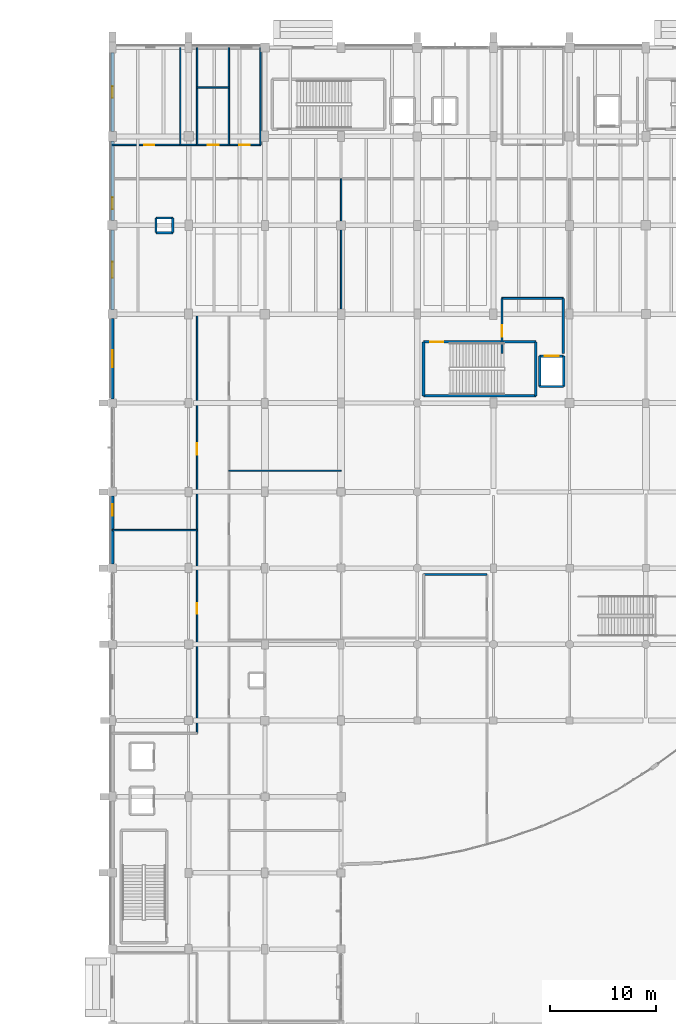
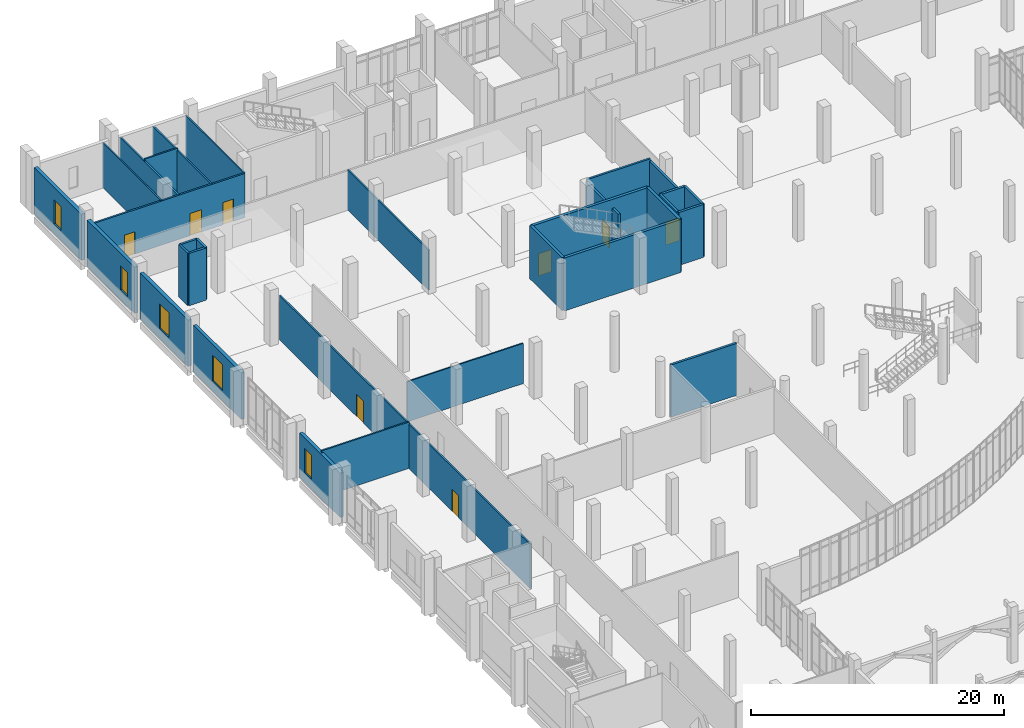
# One storey, part 92 of 110: 31 walls, 8 doors, 5 windows, 13 openings.
"""IFC4 building model written with IfcOpenShell, lengths in metres."""

from ifc_helpers import new_model, si_unit, direction, frame, frame_2d, origin, place, context, subcontext, project, spatial, rectangle, extrude, material, layer, layer_set, type_object, element, fill, save


model = new_model("IFC4")

# Units and contexts
model_context = context("Model", 3, precision=1e-05, world=origin(), true_north=direction((0.0, 1.0)))
body_context = subcontext(model_context, "Body", "Model", "MODEL_VIEW")
ifc_project = project(units=[si_unit("LENGTHUNIT", "METRE"), si_unit("AREAUNIT", "SQUARE_METRE"), si_unit("VOLUMEUNIT", "CUBIC_METRE"), si_unit("PLANEANGLEUNIT", "RADIAN"), si_unit("MASSUNIT", "GRAM", prefix="KILO")], contexts=[model_context])

# Site, building, storey
site_placement = place(None, origin())
site = spatial("IfcSite", under=ifc_project, at=site_placement, CompositionType="ELEMENT")
building_placement = place(site_placement, origin())
building = spatial("IfcBuilding", under=site, at=building_placement, Name="Kalluvel Institute of Natural Sciences", CompositionType="ELEMENT")
storey_placement = place(building_placement, origin())
storey = spatial("IfcBuildingStorey", under=building, at=storey_placement, Name="L00", CompositionType="ELEMENT", Elevation=0.0)

# Walls
ifc_material_1 = material(Name="Concrete M40", Category="concrete")
ifc_layer_1 = layer(ifc_material_1, 0.25)
ifc_layer_set_1 = layer_set([ifc_layer_1], Name="Concrete M40")
wall_type_1 = type_object("IfcWallType", Name="WL-CORE-250", PredefinedType="SHEAR", material=ifc_layer_set_1)
wall_1_placement = place(storey_placement, frame((43.385009765625, 95.0849609375, 0.0), z_axis=(0.0, 0.0, 1.0), x_axis=(1.0, 0.0, 0.0)))
element("IfcWall", 1, at=wall_1_placement, inside=storey, type_object=wall_type_1, Name="ST3 L00 core wall S", PredefinedType="SHEAR", context=body_context, shape_type="SweptSolid", body=[
    extrude(rectangle(XDim=10.6298828125, YDim=0.25, at=frame_2d((5.31494140625, 0.0))), origin(), (0.0, 0.0, 1.0), 5.114990234375),
])
wall_2_placement = place(storey_placement, frame((54.014892578125, 95.0849609375, 0.0), z_axis=(0.0, 0.0, 1.0), x_axis=(0.0, 1.0, 0.0)))
element("IfcWall", 2, at=wall_2_placement, inside=storey, type_object=wall_type_1, Name="ST3 L00 core wall E", PredefinedType="SHEAR", context=body_context, shape_type="SweptSolid", body=[
    extrude(rectangle(XDim=5.10009765625, YDim=0.25, at=frame_2d((2.550048828125, 0.0))), origin(), (0.0, 0.0, 1.0), 5.114990234375),
])

# Wall, opening, door
wall_3_placement = place(storey_placement, frame((54.014892578125, 100.18505859375, 0.0), z_axis=(0.0, 0.0, 1.0), x_axis=(-1.0, 0.0, 0.0)))
wall_3 = element("IfcWall", 3, at=wall_3_placement, inside=storey, type_object=wall_type_1, Name="ST3 L00 core wall N", PredefinedType="SHEAR", context=body_context, shape_type="SweptSolid", body=[
    extrude(rectangle(XDim=10.6298828125, YDim=0.25, at=frame_2d((5.31494140625, 0.0))), origin(), (0.0, 0.0, 1.0), 5.114990234375),
])
opening_1_placement = place(wall_3_placement, frame((8.780029296875, 0.0, 0.0)))
opening_1 = element("IfcOpeningElement", 4, at=opening_1_placement, cuts=wall_3, Name="Opening DS-024", PredefinedType="OPENING", context=body_context, shape_type="SweptSolid", body=[
    extrude(rectangle(XDim=1.199951171875, YDim=2.14990234375, at=frame_2d((0.60009765625, 1.074951171875))), frame((0.0, 0.135009765625, 0.0), z_axis=(0.0, -1.0, 0.0), x_axis=(1.0, 0.0, 0.0)), (0.0, 0.0, 1.0), 0.27001953125),
])
ifc_material_2 = material(Name="Galvanized Fire-Rated Steel", Category="steel")
door_type_1 = type_object("IfcDoorType", Name="DR-ST-1200", OperationType="NOTDEFINED", PredefinedType="DOOR", material=ifc_material_2)
door_1_placement = place(opening_1_placement, origin())
door_1 = element("IfcDoor", 5, at=door_1_placement, inside=storey, type_object=door_type_1, Name="ST3 L00 protected stair door DS-024", OperationType="SINGLE_SWING_RIGHT", OverallHeight=2.14990234375, OverallWidth=1.199951171875, PredefinedType="DOOR", context=body_context, shape_type="SweptSolid", body=[
    extrude(rectangle(XDim=1.199951171875, YDim=2.14990234375, at=frame_2d((0.60009765625, 1.074951171875))), frame((0.0, 0.02490234375, 0.0), z_axis=(0.0, -1.0, 0.0), x_axis=(1.0, 0.0, 0.0)), (0.0, 0.0, 1.0), 0.050048828125),
])
fill(opening_1, door_1)

# Wall
wall_4_placement = place(storey_placement, frame((43.385009765625, 100.18505859375, 0.0), z_axis=(0.0, 0.0, 1.0), x_axis=(0.0, -1.0, 0.0)))
element("IfcWall", 6, at=wall_4_placement, inside=storey, type_object=wall_type_1, Name="ST3 L00 core wall W", PredefinedType="SHEAR", context=body_context, shape_type="SweptSolid", body=[
    extrude(rectangle(XDim=5.10009765625, YDim=0.25, at=frame_2d((2.550048828125, 0.0))), origin(), (0.0, 0.0, 1.0), 5.114990234375),
])

# Wall, opening, window
ifc_material_3 = material(Name="Sadarahalli Grey Granite Ashlar Concrete M40", Category="masonry")
ifc_layer_2 = layer(ifc_material_3, 0.300048828125)
ifc_layer_set_2 = layer_set([ifc_layer_2], Name="Sadarahalli Grey Granite Ashlar Concrete M40")
wall_type_2 = type_object("IfcWallType", Name="WL-EXT-300", PredefinedType="SOLIDWALL", material=ifc_layer_set_2)
wall_5_placement = place(storey_placement, frame((14.0, 79.179931640625, 0.0), z_axis=(0.0, 0.0, 1.0), x_axis=(0.0, 1.0, 0.0)))
wall_5 = element("IfcWall", 7, at=wall_5_placement, inside=storey, type_object=wall_type_2, Name="L00 Sadarahalli granite exterior wall WL-EXT-L00-0141", PredefinedType="SOLIDWALL", context=body_context, shape_type="SweptSolid", body=[
    extrude(rectangle(XDim=6.440185546875, YDim=0.300048828125, at=frame_2d((3.22021484375, 0.0))), origin(), (0.0, 0.0, 1.0), 4.27490234375),
])
opening_2_placement = place(wall_5_placement, frame((4.550048828125, 0.0, 0.949951171875)))
opening_2 = element("IfcOpeningElement", 8, at=opening_2_placement, cuts=wall_5, Name="Opening W-03", PredefinedType="OPENING", context=body_context, shape_type="SweptSolid", body=[
    extrude(rectangle(XDim=1.10009765625, YDim=2.300048828125, at=frame_2d((0.550048828125, 1.14990234375))), frame((0.0, 0.159912109375, 0.0), z_axis=(0.0, -1.0, 0.0), x_axis=(1.0, 0.0, 0.0)), (0.0, 0.0, 1.0), 0.320068359375),
])
ifc_material_4 = material(Name="Solar-Control Low-E Laminated Glass", Category="glass")
window_type_1 = type_object("IfcWindowType", Name="WN-LAN-110x230", PartitioningType="SINGLE_PANEL", PredefinedType="WINDOW", material=ifc_material_4)
window_1_placement = place(opening_2_placement, origin())
window_1 = element("IfcWindow", 9, at=window_1_placement, inside=storey, type_object=window_type_1, Name="L00 Gothic lancet window 24", OverallHeight=2.300048828125, OverallWidth=1.10009765625, PartitioningType="SINGLE_PANEL", PredefinedType="WINDOW", context=body_context, shape_type="SweptSolid", body=[
    extrude(rectangle(XDim=1.10009765625, YDim=2.300048828125, at=frame_2d((0.550048828125, 1.14990234375))), frame((0.0, 0.030029296875, 0.0), z_axis=(0.0, -1.0, 0.0), x_axis=(1.0, 0.0, 0.0)), (0.0, 0.0, 1.0), 0.06005859375),
])
fill(opening_2, window_1)

wall_6_placement = place(storey_placement, frame((14.0, 94.780029296875, 0.0), z_axis=(0.0, 0.0, 1.0), x_axis=(0.0, 1.0, 0.0)))
wall_6 = element("IfcWall", 10, at=wall_6_placement, inside=storey, type_object=wall_type_2, Name="L00 Sadarahalli granite exterior wall WL-EXT-L00-0142", PredefinedType="SOLIDWALL", context=body_context, shape_type="SweptSolid", body=[
    extrude(rectangle(XDim=7.614990234375, YDim=0.300048828125, at=frame_2d((3.8076171875, 0.0))), origin(), (0.0, 0.0, 1.0), 4.47509765625),
])
opening_3_placement = place(wall_6_placement, frame((3.007568359375, 0.0, 0.949951171875)))
opening_3 = element("IfcOpeningElement", 11, at=opening_3_placement, cuts=wall_6, Name="Opening W-07", PredefinedType="OPENING", context=body_context, shape_type="SweptSolid", body=[
    extrude(rectangle(XDim=1.60009765625, YDim=2.5, at=frame_2d((0.800048828125, 1.25))), frame((0.0, 0.159912109375, 0.0), z_axis=(0.0, -1.0, 0.0), x_axis=(1.0, 0.0, 0.0)), (0.0, 0.0, 1.0), 0.320068359375),
])
window_type_2 = type_object("IfcWindowType", Name="WN-LAN-160x250", PartitioningType="SINGLE_PANEL", PredefinedType="WINDOW", material=ifc_material_4)
window_2_placement = place(opening_3_placement, origin())
window_2 = element("IfcWindow", 12, at=window_2_placement, inside=storey, type_object=window_type_2, Name="L00 Gothic lancet window 25", OverallHeight=2.5, OverallWidth=1.60009765625, PartitioningType="SINGLE_PANEL", PredefinedType="WINDOW", context=body_context, shape_type="SweptSolid", body=[
    extrude(rectangle(XDim=1.60009765625, YDim=2.5, at=frame_2d((0.800048828125, 1.25))), frame((0.0, 0.030029296875, 0.0), z_axis=(0.0, -1.0, 0.0), x_axis=(1.0, 0.0, 0.0)), (0.0, 0.0, 1.0), 0.06005859375),
])
fill(opening_3, window_2)

ifc_layer_3 = layer(ifc_material_3, 0.320068359375)
ifc_layer_set_3 = layer_set([ifc_layer_3], Name="Sadarahalli Grey Granite Ashlar Concrete M40")
wall_type_3 = type_object("IfcWallType", Name="WL-EXT-320", PredefinedType="SOLIDWALL", material=ifc_layer_set_3)
wall_7_placement = place(storey_placement, frame((14.0, 103.205078125, 0.0), z_axis=(0.0, 0.0, 1.0), x_axis=(0.0, 1.0, 0.0)))
wall_7 = element("IfcWall", 13, at=wall_7_placement, inside=storey, type_object=wall_type_3, Name="L00 Sadarahalli granite exterior wall WL-EXT-L00-0014", PredefinedType="SOLIDWALL", context=body_context, shape_type="SweptSolid", body=[
    extrude(rectangle(XDim=7.56494140625, YDim=0.320068359375, at=frame_2d((3.782470703125, 0.0))), origin(), (0.0, 0.0, 1.0), 4.455078125),
])
opening_4_placement = place(wall_7_placement, frame((3.032470703125, 0.0, 0.949951171875)))
opening_4 = element("IfcOpeningElement", 14, at=opening_4_placement, cuts=wall_7, Name="Opening W-06", PredefinedType="OPENING", context=body_context, shape_type="SweptSolid", body=[
    extrude(rectangle(XDim=1.5, YDim=2.39990234375, at=frame_2d((0.75, 1.199951171875))), frame((0.0, 0.169921875, 0.0), z_axis=(0.0, -1.0, 0.0), x_axis=(1.0, 0.0, 0.0)), (0.0, 0.0, 1.0), 0.340087890625),
])
window_type_3 = type_object("IfcWindowType", Name="WN-LAN-150x240", PartitioningType="SINGLE_PANEL", PredefinedType="WINDOW", material=ifc_material_4)
window_3_placement = place(opening_4_placement, origin())
window_3 = element("IfcWindow", 15, at=window_3_placement, inside=storey, type_object=window_type_3, Name="L00 Gothic lancet window 8", OverallHeight=2.39990234375, OverallWidth=1.5, PartitioningType="SINGLE_PANEL", PredefinedType="WINDOW", context=body_context, shape_type="SweptSolid", body=[
    extrude(rectangle(XDim=1.5, YDim=2.39990234375, at=frame_2d((0.75, 1.199951171875))), frame((0.0, 0.030029296875, 0.0), z_axis=(0.0, -1.0, 0.0), x_axis=(1.0, 0.0, 0.0)), (0.0, 0.0, 1.0), 0.06005859375),
])
fill(opening_4, window_3)

wall_8_placement = place(storey_placement, frame((14.0, 111.6298828125, 0.0), z_axis=(0.0, 0.0, 1.0), x_axis=(0.0, 1.0, 0.0)))
wall_8 = element("IfcWall", 16, at=wall_8_placement, inside=storey, type_object=wall_type_3, Name="L00 Sadarahalli granite exterior wall WL-EXT-L00-0015", PredefinedType="SOLIDWALL", context=body_context, shape_type="SweptSolid", body=[
    extrude(rectangle(XDim=7.51513671875, YDim=0.320068359375, at=frame_2d((3.757568359375, 0.0))), origin(), (0.0, 0.0, 1.0), 4.455078125),
])
opening_5_placement = place(wall_8_placement, frame((1.10009765625, 0.0, 0.949951171875)))
opening_5 = element("IfcOpeningElement", 17, at=opening_5_placement, cuts=wall_8, Name="Opening W-03", PredefinedType="OPENING", context=body_context, shape_type="SweptSolid", body=[
    extrude(rectangle(XDim=1.10009765625, YDim=2.300048828125, at=frame_2d((0.550048828125, 1.14990234375))), frame((0.0, 0.169921875, 0.0), z_axis=(0.0, -1.0, 0.0), x_axis=(1.0, 0.0, 0.0)), (0.0, 0.0, 1.0), 0.340087890625),
])
window_4_placement = place(opening_5_placement, origin())
window_4 = element("IfcWindow", 18, at=window_4_placement, inside=storey, type_object=window_type_1, Name="L00 Gothic lancet window 9", OverallHeight=2.300048828125, OverallWidth=1.10009765625, PartitioningType="SINGLE_PANEL", PredefinedType="WINDOW", context=body_context, shape_type="SweptSolid", body=[
    extrude(rectangle(XDim=1.10009765625, YDim=2.300048828125, at=frame_2d((0.550048828125, 1.14990234375))), frame((0.0, 0.030029296875, 0.0), z_axis=(0.0, -1.0, 0.0), x_axis=(1.0, 0.0, 0.0)), (0.0, 0.0, 1.0), 0.06005859375),
])
fill(opening_5, window_4)

wall_9_placement = place(storey_placement, frame((14.0, 120.054931640625, 0.0), z_axis=(0.0, 0.0, 1.0), x_axis=(0.0, 1.0, 0.0)))
wall_9 = element("IfcWall", 19, at=wall_9_placement, inside=storey, type_object=wall_type_3, Name="L00 Sadarahalli granite exterior wall WL-EXT-L00-0016", PredefinedType="SOLIDWALL", context=body_context, shape_type="SweptSolid", body=[
    extrude(rectangle(XDim=7.465087890625, YDim=0.320068359375, at=frame_2d((3.732421875, 0.0))), origin(), (0.0, 0.0, 1.0), 4.455078125),
])
opening_6_placement = place(wall_9_placement, frame((3.1826171875, 0.0, 0.949951171875)))
opening_6 = element("IfcOpeningElement", 20, at=opening_6_placement, cuts=wall_9, Name="Opening W-03", PredefinedType="OPENING", context=body_context, shape_type="SweptSolid", body=[
    extrude(rectangle(XDim=1.10009765625, YDim=2.300048828125, at=frame_2d((0.550048828125, 1.14990234375))), frame((0.0, 0.169921875, 0.0), z_axis=(0.0, -1.0, 0.0), x_axis=(1.0, 0.0, 0.0)), (0.0, 0.0, 1.0), 0.340087890625),
])
window_5_placement = place(opening_6_placement, origin())
window_5 = element("IfcWindow", 21, at=window_5_placement, inside=storey, type_object=window_type_1, Name="L00 Gothic lancet window 10", OverallHeight=2.300048828125, OverallWidth=1.10009765625, PartitioningType="SINGLE_PANEL", PredefinedType="WINDOW", context=body_context, shape_type="SweptSolid", body=[
    extrude(rectangle(XDim=1.10009765625, YDim=2.300048828125, at=frame_2d((0.550048828125, 1.14990234375))), frame((0.0, 0.030029296875, 0.0), z_axis=(0.0, -1.0, 0.0), x_axis=(1.0, 0.0, 0.0)), (0.0, 0.0, 1.0), 0.06005859375),
])
fill(opening_6, window_5)

# Wall
ifc_material_5 = material(Name="Autoclaved Aerated Concrete Masonry Block", Category="masonry")
ifc_layer_4 = layer(ifc_material_5, 0.179931640625)
ifc_layer_set_4 = layer_set([ifc_layer_4], Name="Autoclaved Aerated Concrete Masonry Block")
wall_type_4 = type_object("IfcWallType", Name="WL-FIRE-180", PredefinedType="SOLIDWALL", material=ifc_layer_set_4)
wall_10_placement = place(storey_placement, frame((50.800048828125, 104.300048828125, 0.0), z_axis=(0.0, 0.0, 1.0), x_axis=(1.0, 0.0, 0.0)))
element("IfcWall", 22, at=wall_10_placement, inside=storey, type_object=wall_type_4, Name="L00 interior fire wall WL-INT-L00-0032", PredefinedType="SOLIDWALL", context=body_context, shape_type="SweptSolid", body=[
    extrude(rectangle(XDim=5.800048828125, YDim=0.179931640625, at=frame_2d((2.89990234375, 0.0))), origin(), (0.0, 0.0, 1.0), 4.4599609375),
])

# Wall, opening, door
ifc_layer_5 = layer(ifc_material_5, 0.199951171875)
ifc_layer_set_5 = layer_set([ifc_layer_5], Name="Autoclaved Aerated Concrete Masonry Block")
wall_type_5 = type_object("IfcWallType", Name="WL-FIRE-200", PredefinedType="SOLIDWALL", material=ifc_layer_set_5)
wall_11_placement = place(storey_placement, frame((50.800048828125, 99.10009765625, 0.0), z_axis=(0.0, 0.0, 1.0), x_axis=(0.0, 1.0, 0.0)))
wall_11 = element("IfcWall", 23, at=wall_11_placement, inside=storey, type_object=wall_type_5, Name="L00 interior fire wall WL-INT-L00-0030", PredefinedType="SOLIDWALL", context=body_context, shape_type="SweptSolid", body=[
    extrude(rectangle(XDim=5.199951171875, YDim=0.199951171875, at=frame_2d((2.60009765625, 0.0))), origin(), (0.0, 0.0, 1.0), 4.260009765625),
])
opening_7_placement = place(wall_11_placement, frame((1.550048828125, 0.0, 0.0)))
opening_7 = element("IfcOpeningElement", 24, at=opening_7_placement, cuts=wall_11, Name="Opening D-063", PredefinedType="OPENING", context=body_context, shape_type="SweptSolid", body=[
    extrude(rectangle(XDim=1.10009765625, YDim=2.14990234375, at=frame_2d((0.550048828125, 1.074951171875))), frame((0.0, 0.10986328125, 0.0), z_axis=(0.0, -1.0, 0.0), x_axis=(1.0, 0.0, 0.0)), (0.0, 0.0, 1.0), 0.219970703125),
])
door_type_2 = type_object("IfcDoorType", Name="DR-FD60-1100", OperationType="NOTDEFINED", PredefinedType="DOOR", material=ifc_material_2)
door_2_placement = place(opening_7_placement, origin())
door_2 = element("IfcDoor", 25, at=door_2_placement, inside=storey, type_object=door_type_2, Name="L00 ST3-FF2 link door D-063", OperationType="SINGLE_SWING_LEFT", OverallHeight=2.14990234375, OverallWidth=1.10009765625, PredefinedType="DOOR", context=body_context, shape_type="SweptSolid", body=[
    extrude(rectangle(XDim=1.10009765625, YDim=2.14990234375, at=frame_2d((0.550048828125, 1.074951171875))), frame((0.0, 0.02490234375, 0.0), z_axis=(0.0, -1.0, 0.0), x_axis=(1.0, 0.0, 0.0)), (0.0, 0.0, 1.0), 0.050048828125),
])
fill(opening_7, door_2)

# Walls
wall_12_placement = place(storey_placement, frame((56.60009765625, 99.10009765625, 0.0), z_axis=(0.0, 0.0, 1.0), x_axis=(0.0, 1.0, 0.0)))
element("IfcWall", 26, at=wall_12_placement, inside=storey, type_object=wall_type_5, Name="L00 interior fire wall WL-INT-L00-0031", PredefinedType="SOLIDWALL", context=body_context, shape_type="SweptSolid", body=[
    extrude(rectangle(XDim=5.199951171875, YDim=0.199951171875, at=frame_2d((2.60009765625, 0.0))), origin(), (0.0, 0.0, 1.0), 4.260009765625),
])
wall_13_placement = place(storey_placement, frame((43.39990234375, 78.199951171875, 0.0), z_axis=(0.0, 0.0, 1.0), x_axis=(1.0, 0.0, 0.0)))
element("IfcWall", 27, at=wall_13_placement, inside=storey, type_object=wall_type_5, Name="L00 interior fire wall WL-INT-L00-0061", PredefinedType="SOLIDWALL", context=body_context, shape_type="SweptSolid", body=[
    extrude(rectangle(XDim=6.0, YDim=0.199951171875, at=frame_2d((3.0, 0.0))), origin(), (0.0, 0.0, 1.0), 5.02001953125),
])
ifc_material_6 = material(Name="Acoustic Gypsum Twin-Stud Partition", Category="gypsum")
ifc_layer_6 = layer(ifc_material_6, 0.1201171875)
ifc_layer_set_6 = layer_set([ifc_layer_6], Name="Acoustic Gypsum Twin-Stud Partition")
wall_type_6 = type_object("IfcWallType", Name="WL-PART-120", PredefinedType="PARTITIONING", material=ifc_layer_set_6)
wall_14_placement = place(storey_placement, frame((20.39990234375, 118.800048828125, 0.0), z_axis=(0.0, 0.0, 1.0), x_axis=(0.0, 1.0, 0.0)))
element("IfcWall", 28, at=wall_14_placement, inside=storey, type_object=wall_type_6, Name="L00 interior partition wall WL-INT-L00-0035", PredefinedType="PARTITIONING", context=body_context, shape_type="SweptSolid", body=[
    extrude(rectangle(XDim=9.199951171875, YDim=0.1201171875, at=frame_2d((4.60009765625, 0.0))), origin(), (0.0, 0.0, 1.0), 4.31005859375),
])
wall_15_placement = place(storey_placement, frame((28.0, 118.800048828125, 0.0), z_axis=(0.0, 0.0, 1.0), x_axis=(0.0, 1.0, 0.0)))
element("IfcWall", 29, at=wall_15_placement, inside=storey, type_object=wall_type_6, Name="L00 interior partition wall WL-INT-L00-0038", PredefinedType="PARTITIONING", context=body_context, shape_type="SweptSolid", body=[
    extrude(rectangle(XDim=9.199951171875, YDim=0.1201171875, at=frame_2d((4.60009765625, 0.0))), origin(), (0.0, 0.0, 1.0), 4.260009765625),
])
wall_16_placement = place(storey_placement, frame((25.0, 88.0, 0.0), z_axis=(0.0, 0.0, 1.0), x_axis=(1.0, 0.0, 0.0)))
element("IfcWall", 30, at=wall_16_placement, inside=storey, type_object=wall_type_6, Name="L00 interior partition wall WL-INT-L00-0053", PredefinedType="PARTITIONING", context=body_context, shape_type="SweptSolid", body=[
    extrude(rectangle(XDim=10.60009765625, YDim=0.1201171875, at=frame_2d((5.300048828125, 0.0))), origin(), (0.0, 0.0, 1.0), 3.8798828125),
])
ifc_layer_7 = layer(ifc_material_6, 0.139892578125)
ifc_layer_set_7 = layer_set([ifc_layer_7], Name="Acoustic Gypsum Twin-Stud Partition")
wall_type_7 = type_object("IfcWallType", Name="WL-PART-140", PredefinedType="PARTITIONING", material=ifc_layer_set_7)
wall_17_placement = place(storey_placement, frame((22.0, 124.199951171875, 0.0), z_axis=(0.0, 0.0, 1.0), x_axis=(1.0, 0.0, 0.0)))
element("IfcWall", 31, at=wall_17_placement, inside=storey, type_object=wall_type_7, Name="L00 interior partition wall WL-INT-L00-0034", PredefinedType="PARTITIONING", context=body_context, shape_type="SweptSolid", body=[
    extrude(rectangle(XDim=3.0, YDim=0.139892578125, at=frame_2d((1.5, 0.0))), origin(), (0.0, 0.0, 1.0), 4.4599609375),
])
wall_18_placement = place(storey_placement, frame((25.0, 118.800048828125, 0.0), z_axis=(0.0, 0.0, 1.0), x_axis=(0.0, 1.0, 0.0)))
element("IfcWall", 32, at=wall_18_placement, inside=storey, type_object=wall_type_7, Name="L00 interior partition wall WL-INT-L00-0037", PredefinedType="PARTITIONING", context=body_context, shape_type="SweptSolid", body=[
    extrude(rectangle(XDim=9.199951171875, YDim=0.139892578125, at=frame_2d((4.60009765625, 0.0))), origin(), (0.0, 0.0, 1.0), 4.260009765625),
])
wall_19_placement = place(storey_placement, frame((35.60009765625, 102.800048828125, 0.0), z_axis=(0.0, 0.0, 1.0), x_axis=(0.0, 1.0, 0.0)))
element("IfcWall", 33, at=wall_19_placement, inside=storey, type_object=wall_type_7, Name="L00 interior partition wall WL-INT-L00-0043", PredefinedType="PARTITIONING", context=body_context, shape_type="SweptSolid", body=[
    extrude(rectangle(XDim=12.800048828125, YDim=0.139892578125, at=frame_2d((6.39990234375, 0.0))), origin(), (0.0, 0.0, 1.0), 3.860107421875),
])

# Wall, openings, doors
wall_20_placement = place(storey_placement, frame((22.0, 63.199951171875, 0.0), z_axis=(0.0, 0.0, 1.0), x_axis=(0.0, 1.0, 0.0)))
wall_20 = element("IfcWall", 34, at=wall_20_placement, inside=storey, type_object=wall_type_7, Name="L00 interior partition wall WL-INT-L00-0055", PredefinedType="PARTITIONING", context=body_context, shape_type="SweptSolid", body=[
    extrude(rectangle(XDim=39.60009765625, YDim=0.139892578125, at=frame_2d((19.800048828125, 0.0))), origin(), (0.0, 0.0, 1.0), 4.280029296875),
])
opening_8_placement = place(wall_20_placement, frame((11.300048828125, 0.0, 0.0)))
opening_8 = element("IfcOpeningElement", 35, at=opening_8_placement, cuts=wall_20, Name="Opening D-079", PredefinedType="OPENING", context=body_context, shape_type="SweptSolid", body=[
    extrude(rectangle(XDim=1.0, YDim=2.14990234375, at=frame_2d((0.5, 1.074951171875))), frame((0.0, 0.079833984375, 0.0), z_axis=(0.0, -1.0, 0.0), x_axis=(1.0, 0.0, 0.0)), (0.0, 0.0, 1.0), 0.159912109375),
])
opening_9_placement = place(wall_20_placement, frame((26.300048828125, 0.0, 0.0)))
opening_9 = element("IfcOpeningElement", 36, at=opening_9_placement, cuts=wall_20, Name="Opening D-080", PredefinedType="OPENING", context=body_context, shape_type="SweptSolid", body=[
    extrude(rectangle(XDim=1.10009765625, YDim=2.14990234375, at=frame_2d((0.550048828125, 1.074951171875))), frame((0.0, 0.079833984375, 0.0), z_axis=(0.0, -1.0, 0.0), x_axis=(1.0, 0.0, 0.0)), (0.0, 0.0, 1.0), 0.159912109375),
])
ifc_material_7 = material(Name="Engineered Hardwood Acoustic Leaf", Category="wood")
door_type_3 = type_object("IfcDoorType", Name="DR-INT-1000", OperationType="NOTDEFINED", PredefinedType="DOOR", material=ifc_material_7)
door_3_placement = place(opening_8_placement, origin())
door_3 = element("IfcDoor", 37, at=door_3_placement, inside=storey, type_object=door_type_3, Name="L00 DW-N1 door D-079", OperationType="SINGLE_SWING_LEFT", OverallHeight=2.14990234375, OverallWidth=1.0, PredefinedType="DOOR", context=body_context, shape_type="SweptSolid", body=[
    extrude(rectangle(XDim=1.0, YDim=2.14990234375, at=frame_2d((0.5, 1.074951171875))), frame((0.0, 0.02490234375, 0.0), z_axis=(0.0, -1.0, 0.0), x_axis=(1.0, 0.0, 0.0)), (0.0, 0.0, 1.0), 0.050048828125),
])
fill(opening_8, door_3)
door_type_4 = type_object("IfcDoorType", Name="DR-INT-1100", OperationType="NOTDEFINED", PredefinedType="DOOR", material=ifc_material_7)
door_4_placement = place(opening_9_placement, origin())
door_4 = element("IfcDoor", 38, at=door_4_placement, inside=storey, type_object=door_type_4, Name="L00 DW-N2 door D-080", OperationType="SINGLE_SWING_RIGHT", OverallHeight=2.14990234375, OverallWidth=1.10009765625, PredefinedType="DOOR", context=body_context, shape_type="SweptSolid", body=[
    extrude(rectangle(XDim=1.10009765625, YDim=2.14990234375, at=frame_2d((0.550048828125, 1.074951171875))), frame((0.0, 0.02490234375, 0.0), z_axis=(0.0, -1.0, 0.0), x_axis=(1.0, 0.0, 0.0)), (0.0, 0.0, 1.0), 0.050048828125),
])
fill(opening_9, door_4)

# Wall
wall_21_placement = place(storey_placement, frame((14.0, 82.39990234375, 0.0), z_axis=(0.0, 0.0, 1.0), x_axis=(1.0, 0.0, 0.0)))
element("IfcWall", 39, at=wall_21_placement, inside=storey, type_object=wall_type_7, Name="L00 interior partition wall WL-INT-L00-0058", PredefinedType="PARTITIONING", context=body_context, shape_type="SweptSolid", body=[
    extrude(rectangle(XDim=8.0, YDim=0.139892578125, at=frame_2d((4.0, 0.0))), origin(), (0.0, 0.0, 1.0), 4.47998046875),
])

# Wall, openings, doors
ifc_layer_8 = layer(ifc_material_5, 0.159912109375)
ifc_layer_set_8 = layer_set([ifc_layer_8], Name="Autoclaved Aerated Concrete Masonry Block")
wall_type_8 = type_object("IfcWallType", Name="WL-PART-160", PredefinedType="PARTITIONING", material=ifc_layer_set_8)
wall_22_placement = place(storey_placement, frame((14.0, 118.800048828125, 0.0), z_axis=(0.0, 0.0, 1.0), x_axis=(1.0, 0.0, 0.0)))
wall_22 = element("IfcWall", 40, at=wall_22_placement, inside=storey, type_object=wall_type_8, Name="L00 interior partition wall WL-INT-L00-0033", PredefinedType="PARTITIONING", context=body_context, shape_type="SweptSolid", body=[
    extrude(rectangle(XDim=14.0, YDim=0.159912109375, at=frame_2d((7.0, 0.0))), origin(), (0.0, 0.0, 1.0), 4.260009765625),
])
opening_10_placement = place(wall_22_placement, frame((3.0, 0.0, 0.0)))
opening_10 = element("IfcOpeningElement", 41, at=opening_10_placement, cuts=wall_22, Name="Opening D-064", PredefinedType="OPENING", context=body_context, shape_type="SweptSolid", body=[
    extrude(rectangle(XDim=0.949951171875, YDim=2.14990234375, at=frame_2d((0.47509765625, 1.074951171875))), frame((0.0, 0.08984375, 0.0), z_axis=(0.0, -1.0, 0.0), x_axis=(1.0, 0.0, 0.0)), (0.0, 0.0, 1.0), 0.179931640625),
])
opening_11_placement = place(wall_22_placement, frame((9.0, 0.0, 0.0)))
opening_11 = element("IfcOpeningElement", 42, at=opening_11_placement, cuts=wall_22, Name="Opening D-065", PredefinedType="OPENING", context=body_context, shape_type="SweptSolid", body=[
    extrude(rectangle(XDim=1.050048828125, YDim=2.14990234375, at=frame_2d((0.52490234375, 1.074951171875))), frame((0.0, 0.08984375, 0.0), z_axis=(0.0, -1.0, 0.0), x_axis=(1.0, 0.0, 0.0)), (0.0, 0.0, 1.0), 0.179931640625),
])
opening_12_placement = place(wall_22_placement, frame((12.0, 0.0, 0.0)))
opening_12 = element("IfcOpeningElement", 43, at=opening_12_placement, cuts=wall_22, Name="Opening D-066", PredefinedType="OPENING", context=body_context, shape_type="SweptSolid", body=[
    extrude(rectangle(XDim=0.949951171875, YDim=2.14990234375, at=frame_2d((0.47509765625, 1.074951171875))), frame((0.0, 0.08984375, 0.0), z_axis=(0.0, -1.0, 0.0), x_axis=(1.0, 0.0, 0.0)), (0.0, 0.0, 1.0), 0.179931640625),
])
door_type_5 = type_object("IfcDoorType", Name="DR-ACC-1050", OperationType="NOTDEFINED", PredefinedType="DOOR", material=ifc_material_7)
door_5_placement = place(opening_11_placement, origin())
door_5 = element("IfcDoor", 44, at=door_5_placement, inside=storey, type_object=door_type_5, Name="L00 Accessible WC door D-065", OperationType="SINGLE_SWING_RIGHT", OverallHeight=2.14990234375, OverallWidth=1.050048828125, PredefinedType="DOOR", context=body_context, shape_type="SweptSolid", body=[
    extrude(rectangle(XDim=1.050048828125, YDim=2.14990234375, at=frame_2d((0.52490234375, 1.074951171875))), frame((0.0, 0.02490234375, 0.0), z_axis=(0.0, -1.0, 0.0), x_axis=(1.0, 0.0, 0.0)), (0.0, 0.0, 1.0), 0.050048828125),
])
fill(opening_11, door_5)
door_type_6 = type_object("IfcDoorType", Name="DR-INT-950", OperationType="NOTDEFINED", PredefinedType="DOOR", material=ifc_material_7)
door_6_placement = place(opening_10_placement, origin())
door_6 = element("IfcDoor", 45, at=door_6_placement, inside=storey, type_object=door_type_6, Name="L00 Male WC door D-064", OperationType="SINGLE_SWING_LEFT", OverallHeight=2.14990234375, OverallWidth=0.949951171875, PredefinedType="DOOR", context=body_context, shape_type="SweptSolid", body=[
    extrude(rectangle(XDim=0.949951171875, YDim=2.14990234375, at=frame_2d((0.47509765625, 1.074951171875))), frame((0.0, 0.02490234375, 0.0), z_axis=(0.0, -1.0, 0.0), x_axis=(1.0, 0.0, 0.0)), (0.0, 0.0, 1.0), 0.050048828125),
])
fill(opening_10, door_6)
door_7_placement = place(opening_12_placement, origin())
door_7 = element("IfcDoor", 46, at=door_7_placement, inside=storey, type_object=door_type_6, Name="L00 Female WC door D-066", OperationType="SINGLE_SWING_LEFT", OverallHeight=2.14990234375, OverallWidth=0.949951171875, PredefinedType="DOOR", context=body_context, shape_type="SweptSolid", body=[
    extrude(rectangle(XDim=0.949951171875, YDim=2.14990234375, at=frame_2d((0.47509765625, 1.074951171875))), frame((0.0, 0.02490234375, 0.0), z_axis=(0.0, -1.0, 0.0), x_axis=(1.0, 0.0, 0.0)), (0.0, 0.0, 1.0), 0.050048828125),
])
fill(opening_12, door_7)

# Walls
wall_23_placement = place(storey_placement, frame((22.0, 118.800048828125, 0.0), z_axis=(0.0, 0.0, 1.0), x_axis=(0.0, 1.0, 0.0)))
element("IfcWall", 47, at=wall_23_placement, inside=storey, type_object=wall_type_8, Name="L00 interior partition wall WL-INT-L00-0036", PredefinedType="PARTITIONING", context=body_context, shape_type="SweptSolid", body=[
    extrude(rectangle(XDim=9.199951171875, YDim=0.159912109375, at=frame_2d((4.60009765625, 0.0))), origin(), (0.0, 0.0, 1.0), 4.260009765625),
])
ifc_layer_9 = layer(ifc_material_1, 0.199951171875)
ifc_layer_set_9 = layer_set([ifc_layer_9], Name="Concrete M40")
wall_type_9 = type_object("IfcWallType", Name="WL-RISER-200", PredefinedType="SHEAR", material=ifc_layer_set_9)
wall_24_placement = place(storey_placement, frame((18.10009765625, 110.5, 0.0), z_axis=(0.0, 0.0, 1.0), x_axis=(1.0, 0.0, 0.0)))
element("IfcWall", 48, at=wall_24_placement, inside=storey, type_object=wall_type_9, Name="RS-WET-W L00 service riser enclosure S", PredefinedType="SHEAR", context=body_context, shape_type="SweptSolid", body=[
    extrude(rectangle(XDim=1.599853515625, YDim=0.199951171875, at=frame_2d((0.7998046875, 0.0))), origin(), (0.0, 0.0, 1.0), 5.0400390625),
])
wall_25_placement = place(storey_placement, frame((19.699951171875, 110.5, 0.0), z_axis=(0.0, 0.0, 1.0), x_axis=(0.0, 1.0, 0.0)))
element("IfcWall", 49, at=wall_25_placement, inside=storey, type_object=wall_type_9, Name="RS-WET-W L00 service riser enclosure E", PredefinedType="SHEAR", context=body_context, shape_type="SweptSolid", body=[
    extrude(rectangle(XDim=1.39990234375, YDim=0.199951171875, at=frame_2d((0.699951171875, 0.0))), origin(), (0.0, 0.0, 1.0), 5.0400390625),
])
wall_26_placement = place(storey_placement, frame((19.699951171875, 111.89990234375, 0.0), z_axis=(0.0, 0.0, 1.0), x_axis=(-1.0, 0.0, 0.0)))
element("IfcWall", 50, at=wall_26_placement, inside=storey, type_object=wall_type_9, Name="RS-WET-W L00 service riser enclosure N", PredefinedType="SHEAR", context=body_context, shape_type="SweptSolid", body=[
    extrude(rectangle(XDim=1.599853515625, YDim=0.199951171875, at=frame_2d((0.7998046875, 0.0))), origin(), (0.0, 0.0, 1.0), 5.0400390625),
])
wall_27_placement = place(storey_placement, frame((18.10009765625, 111.89990234375, 0.0), z_axis=(0.0, 0.0, 1.0), x_axis=(0.0, -1.0, 0.0)))
element("IfcWall", 51, at=wall_27_placement, inside=storey, type_object=wall_type_9, Name="RS-WET-W L00 service riser enclosure W", PredefinedType="SHEAR", context=body_context, shape_type="SweptSolid", body=[
    extrude(rectangle(XDim=1.39990234375, YDim=0.199951171875, at=frame_2d((0.699951171875, 0.0))), origin(), (0.0, 0.0, 1.0), 5.0400390625),
])
ifc_layer_10 = layer(ifc_material_1, 0.219970703125)
ifc_layer_set_10 = layer_set([ifc_layer_10], Name="Concrete M40")
wall_type_10 = type_object("IfcWallType", Name="WL-SHAFT-220", PredefinedType="SHEAR", material=ifc_layer_set_10)
wall_28_placement = place(storey_placement, frame((54.3701171875, 95.969970703125, 0.0), z_axis=(0.0, 0.0, 1.0), x_axis=(1.0, 0.0, 0.0)))
element("IfcWall", 52, at=wall_28_placement, inside=storey, type_object=wall_type_10, Name="LF8 L00 lift shaft wall", PredefinedType="SHEAR", context=body_context, shape_type="SweptSolid", body=[
    extrude(rectangle(XDim=2.259765625, YDim=0.219970703125, at=frame_2d((1.1298828125, 0.0))), origin(), (0.0, 0.0, 1.0), 5.114990234375),
])
wall_29_placement = place(storey_placement, frame((56.6298828125, 95.969970703125, 0.0), z_axis=(0.0, 0.0, 1.0), x_axis=(0.0, 1.0, 0.0)))
element("IfcWall", 53, at=wall_29_placement, inside=storey, type_object=wall_type_10, Name="LF8 L00 lift shaft wall", PredefinedType="SHEAR", context=body_context, shape_type="SweptSolid", body=[
    extrude(rectangle(XDim=2.860107421875, YDim=0.219970703125, at=frame_2d((1.43017578125, 0.0))), origin(), (0.0, 0.0, 1.0), 5.114990234375),
])

# Wall, opening, door
wall_30_placement = place(storey_placement, frame((56.6298828125, 98.830078125, 0.0), z_axis=(0.0, 0.0, 1.0), x_axis=(-1.0, 0.0, 0.0)))
wall_30 = element("IfcWall", 54, at=wall_30_placement, inside=storey, type_object=wall_type_10, Name="LF8 L00 lift shaft wall", PredefinedType="SHEAR", context=body_context, shape_type="SweptSolid", body=[
    extrude(rectangle(XDim=2.259765625, YDim=0.219970703125, at=frame_2d((1.1298828125, 0.0))), origin(), (0.0, 0.0, 1.0), 5.114990234375),
])
opening_13_placement = place(wall_30_placement, frame((0.47998046875, 0.0, 0.0)))
opening_13 = element("IfcOpeningElement", 55, at=opening_13_placement, cuts=wall_30, Name="Opening LD-060", PredefinedType="OPENING", context=body_context, shape_type="SweptSolid", body=[
    extrude(rectangle(XDim=1.300048828125, YDim=2.199951171875, at=frame_2d((0.64990234375, 1.10009765625))), frame((0.0, 0.119873046875, 0.0), z_axis=(0.0, -1.0, 0.0), x_axis=(1.0, 0.0, 0.0)), (0.0, 0.0, 1.0), 0.239990234375),
])
door_type_7 = type_object("IfcDoorType", Name="DR-LD-1300", OperationType="NOTDEFINED", PredefinedType="DOOR", material=ifc_material_2)
door_8_placement = place(opening_13_placement, origin())
door_8 = element("IfcDoor", 56, at=door_8_placement, inside=storey, type_object=door_type_7, Name="LF8 L00 sliding lift landing door LD-060", OperationType="DOUBLE_DOOR_SLIDING", OverallHeight=2.199951171875, OverallWidth=1.300048828125, PredefinedType="DOOR", context=body_context, shape_type="SweptSolid", body=[
    extrude(rectangle(XDim=1.300048828125, YDim=2.199951171875, at=frame_2d((0.64990234375, 1.10009765625))), frame((0.0, 0.02490234375, 0.0), z_axis=(0.0, -1.0, 0.0), x_axis=(1.0, 0.0, 0.0)), (0.0, 0.0, 1.0), 0.050048828125),
])
fill(opening_13, door_8)

# Wall
wall_31_placement = place(storey_placement, frame((54.3701171875, 98.830078125, 0.0), z_axis=(0.0, 0.0, 1.0), x_axis=(0.0, -1.0, 0.0)))
element("IfcWall", 57, at=wall_31_placement, inside=storey, type_object=wall_type_10, Name="LF8 L00 lift shaft wall", PredefinedType="SHEAR", context=body_context, shape_type="SweptSolid", body=[
    extrude(rectangle(XDim=2.860107421875, YDim=0.219970703125, at=frame_2d((1.43017578125, 0.0))), origin(), (0.0, 0.0, 1.0), 5.114990234375),
])

save(model, "model.ifc")
